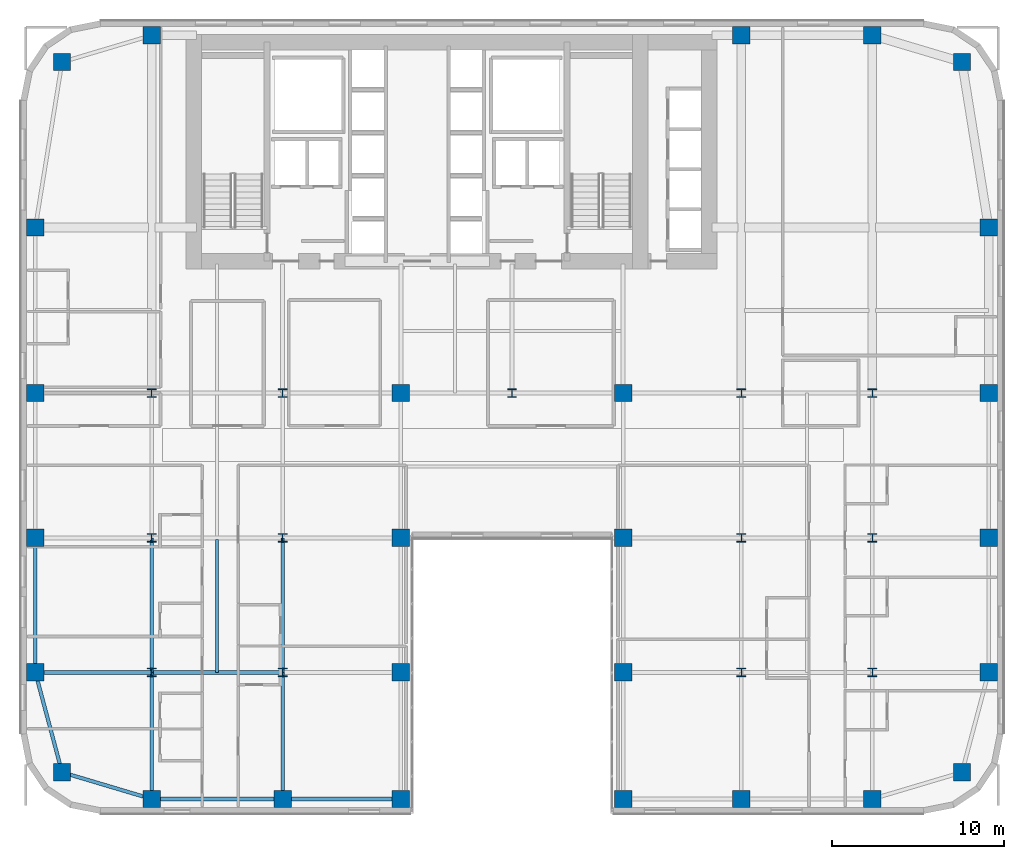
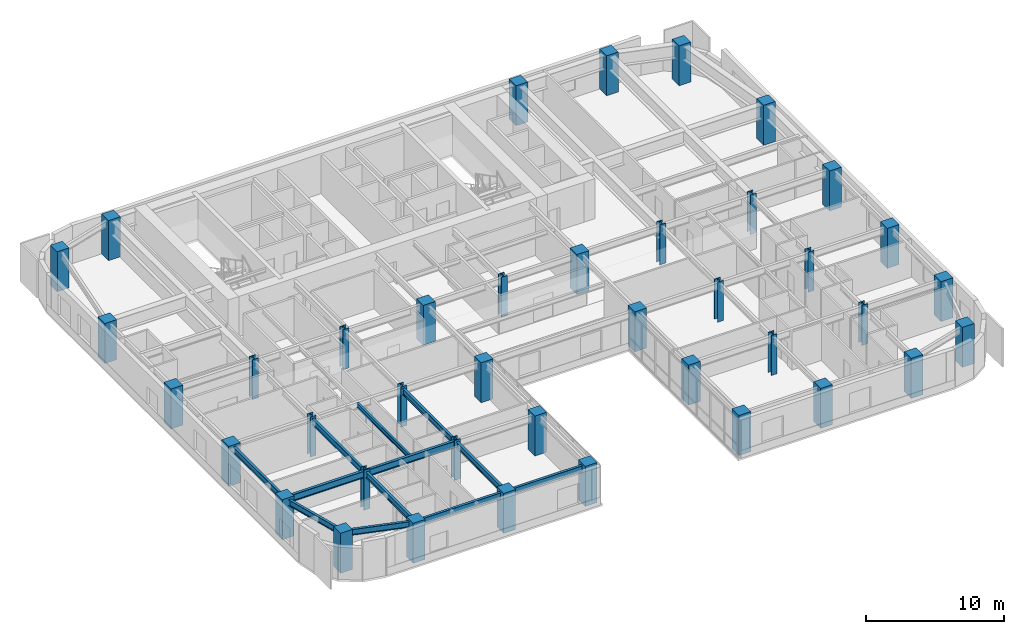
# One storey, part 1 of 25: 40 columns, 12 beams.
"""IFC4 building model written with IfcOpenShell, lengths in metres."""

from ifc_helpers import new_model, si_unit, direction, frame, origin, origin_2d, place, context, subcontext, project, spatial, rectangle, i_section, extrude, source, transform, mapped, material, material_profile, profile_set, type_object, type_shapes, element, save


model = new_model("IFC4")

# Units and contexts
model_context = context("Model", 3, precision=1e-05, world=origin(), true_north=direction((0.0, 1.0)))
body_context = subcontext(model_context, "Body", "Model", "MODEL_VIEW")
ifc_project = project(units=[si_unit("LENGTHUNIT", "METRE"), si_unit("AREAUNIT", "SQUARE_METRE"), si_unit("VOLUMEUNIT", "CUBIC_METRE"), si_unit("PLANEANGLEUNIT", "RADIAN"), si_unit("MASSUNIT", "GRAM", prefix="KILO")], contexts=[model_context])

# Site, building, storey
site_placement = place(None, origin())
site = spatial("IfcSite", under=ifc_project, at=site_placement, CompositionType="ELEMENT")
building_placement = place(site_placement, origin())
building = spatial("IfcBuilding", under=site, at=building_placement, Name="Tolvann Quenvar Hotel", CompositionType="ELEMENT")
storey_placement = place(building_placement, frame((0.0, 0.0, 60.39990234375)))
storey = spatial("IfcBuildingStorey", under=building, at=storey_placement, Name="L14", CompositionType="ELEMENT", Elevation=60.39990234375)

# Columns
ifc_material_1 = material(Name="Concrete S65 (65 MPa)", Category="concrete")
ifc_material_profile_1 = material_profile(ifc_material_1, rectangle(XDim=1.0, YDim=1.0, at=origin_2d()), Name="RC1000x1000")
ifc_profile_set_1 = profile_set([ifc_material_profile_1], Name="Concrete S65 (65 MPa)")
column_type_1 = type_object("IfcColumnType", Name="COL_RC1000", PredefinedType="COLUMN", material=ifc_profile_set_1)
shared_shape_1 = source(origin(), body_context, "Body", "SweptSolid", [
    extrude(rectangle(XDim=1.0, YDim=1.0, at=origin_2d()), origin(), (0.0, 0.0, 1.0), 3.550048828125),
])
type_shapes(column_type_1, [shared_shape_1])
for number, where, z_axis, x_axis, name in (
    (1, (2.39990234375, 2.39990234375, 0.0), (0.0, 0.0, 1.0), (1.0, 0.0, 0.0), "Column B2 (L14)"),
    (2, (0.85009765625, 8.199951171875, 0.0), (0.0, 0.0, 1.0), (1.0, 0.0, 0.0), "Column B3 (L14)"),
    (3, (0.85009765625, 16.0, 0.0), (0.0, 0.0, 1.0), (1.0, 0.0, 0.0), "Column B4 (L14)"),
    (4, (0.85009765625, 24.39990234375, 0.0), (0.0, 0.0, 1.0), (1.0, 0.0, 0.0), "Column B5 (L14)"),
    (5, (7.60009765625, 0.85009765625, 0.0), (0.0, 0.0, 1.0), (1.0, 0.0, 0.0), "Column C2 (L14)"),
    (6, (15.199951171875, 0.85009765625, 0.0), (0.0, 0.0, 1.0), (1.0, 0.0, 0.0), "Column D2 (L14)"),
    (7, (22.050048828125, 0.85009765625, 0.0), (0.0, 0.0, 1.0), (1.0, 0.0, 0.0), "Column E2 (L14)"),
    (8, (22.050048828125, 8.199951171875, 0.0), (0.0, 0.0, 1.0), (1.0, 0.0, 0.0), "Column E3 (L14)"),
    (9, (22.050048828125, 16.0, 0.0), (0.0, 0.0, 1.0), (1.0, 0.0, 0.0), "Column E4 (L14)"),
    (10, (22.050048828125, 24.39990234375, 0.0), (0.0, 0.0, 1.0), (1.0, 0.0, 0.0), "Column E5 (L14)"),
    (11, (34.949951171875, 0.85009765625, 0.0), (0.0, 0.0, 1.0), (1.0, 0.0, 0.0), "Column F2 (L14)"),
    (12, (34.949951171875, 8.199951171875, 0.0), (0.0, 0.0, 1.0), (1.0, 0.0, 0.0), "Column F3 (L14)"),
    (13, (34.949951171875, 16.0, 0.0), (0.0, 0.0, 1.0), (1.0, 0.0, 0.0), "Column F4 (L14)"),
    (14, (34.949951171875, 24.39990234375, 0.0), (0.0, 0.0, 1.0), (1.0, 0.0, 0.0), "Column F5 (L14)"),
    (15, (41.800048828125, 0.85009765625, 0.0), (0.0, 0.0, 1.0), (1.0, 0.0, 0.0), "Column H2 (L14)"),
    (16, (49.39990234375, 0.85009765625, 0.0), (0.0, 0.0, 1.0), (1.0, 0.0, 0.0), "Column I2 (L14)"),
    (17, (54.60009765625, 2.39990234375, 0.0), (0.0, 0.0, 1.0), (1.0, 0.0, 0.0), "Column J2 (L14)"),
    (18, (56.14990234375, 8.199951171875, 0.0), (0.0, 0.0, 1.0), (1.0, 0.0, 0.0), "Column J3 (L14)"),
    (19, (56.14990234375, 16.0, 0.0), (0.0, 0.0, 1.0), (1.0, 0.0, 0.0), "Column J4 (L14)"),
    (20, (56.14990234375, 24.39990234375, 0.0), (0.0, 0.0, 1.0), (1.0, 0.0, 0.0), "Column J5 (L14)"),
    (21, (2.39990234375, 43.60009765625, 0.0), (0.0, 0.0, 1.0), (1.0, 0.0, 0.0), "Column BN (L14)"),
    (22, (7.60009765625, 45.14990234375, 0.0), (0.0, 0.0, 1.0), (1.0, 0.0, 0.0), "Column CN (L14)"),
    (23, (0.85009765625, 34.0, 0.0), (0.0, 0.0, 1.0), (1.0, 0.0, 0.0), "Column BD6 (L14)"),
    (24, (41.800048828125, 45.14990234375, 0.0), (0.0, 0.0, 1.0), (1.0, 0.0, 0.0), "Column HN (L14)"),
    (25, (49.39990234375, 45.14990234375, 0.0), (0.0, 0.0, 1.0), (1.0, 0.0, 0.0), "Column IN (L14)"),
    (26, (54.60009765625, 43.60009765625, 0.0), (0.0, 0.0, 1.0), (1.0, 0.0, 0.0), "Column JN (L14)"),
    (27, (56.14990234375, 34.0, 0.0), (0.0, 0.0, 1.0), (1.0, 0.0, 0.0), "Column JD6 (L14)"),
):
    element("IfcColumn", number, at=place(storey_placement, frame(where, z_axis=z_axis, x_axis=x_axis)), inside=storey, type_object=column_type_1, Name=name, PredefinedType="COLUMN", context=body_context, shape_type="MappedRepresentation", body=[
        mapped(shared_shape_1, transform((0.0, 0.0, 0.0), x_axis=(1.0, 0.0, 0.0), y_axis=(0.0, 1.0, 0.0), z_axis=(0.0, 0.0, 1.0), scale=1.0)),
    ])
ifc_material_2 = material(Name="Steel Grade 350", Category="steel")
ifc_material_profile_2 = material_profile(ifc_material_2, i_section(OverallWidth=0.5, OverallDepth=0.5, WebThickness=0.028076171875, FlangeThickness=0.044921875, at=origin_2d()), Name="500WC440")
ifc_profile_set_2 = profile_set([ifc_material_profile_2], Name="Steel Grade 350")
column_type_2 = type_object("IfcColumnType", Name="COL_500WC440", PredefinedType="COLUMN", material=ifc_profile_set_2)
shared_shape_2 = source(origin(), body_context, "Body", "SweptSolid", [
    extrude(i_section(OverallWidth=0.5, OverallDepth=0.5, WebThickness=0.028076171875, FlangeThickness=0.044921875, at=origin_2d()), origin(), (0.0, 0.0, 1.0), 3.550048828125),
])
type_shapes(column_type_2, [shared_shape_2])
for number, where, z_axis, x_axis, name in (
    (28, (7.60009765625, 8.199951171875, 0.0), (0.0, 0.0, 1.0), (1.0, 0.0, 0.0), "Column C3 (L14)"),
    (29, (7.60009765625, 16.0, 0.0), (0.0, 0.0, 1.0), (1.0, 0.0, 0.0), "Column C4 (L14)"),
    (30, (7.60009765625, 24.39990234375, 0.0), (0.0, 0.0, 1.0), (1.0, 0.0, 0.0), "Column C5 (L14)"),
    (31, (15.199951171875, 8.199951171875, 0.0), (0.0, 0.0, 1.0), (1.0, 0.0, 0.0), "Column D3 (L14)"),
    (32, (15.199951171875, 16.0, 0.0), (0.0, 0.0, 1.0), (1.0, 0.0, 0.0), "Column D4 (L14)"),
    (33, (15.199951171875, 24.39990234375, 0.0), (0.0, 0.0, 1.0), (1.0, 0.0, 0.0), "Column D5 (L14)"),
    (34, (41.800048828125, 8.199951171875, 0.0), (0.0, 0.0, 1.0), (1.0, 0.0, 0.0), "Column H3 (L14)"),
    (35, (41.800048828125, 16.0, 0.0), (0.0, 0.0, 1.0), (1.0, 0.0, 0.0), "Column H4 (L14)"),
    (36, (41.800048828125, 24.39990234375, 0.0), (0.0, 0.0, 1.0), (1.0, 0.0, 0.0), "Column H5 (L14)"),
    (37, (49.39990234375, 8.199951171875, 0.0), (0.0, 0.0, 1.0), (1.0, 0.0, 0.0), "Column I3 (L14)"),
    (38, (49.39990234375, 16.0, 0.0), (0.0, 0.0, 1.0), (1.0, 0.0, 0.0), "Column I4 (L14)"),
    (39, (49.39990234375, 24.39990234375, 0.0), (0.0, 0.0, 1.0), (1.0, 0.0, 0.0), "Column I5 (L14)"),
    (40, (28.5, 24.39990234375, 0.0), (0.0, 0.0, 1.0), (1.0, 0.0, 0.0), "Column M5 (L14)"),
):
    element("IfcColumn", number, at=place(storey_placement, frame(where, z_axis=z_axis, x_axis=x_axis)), inside=storey, type_object=column_type_2, Name=name, PredefinedType="COLUMN", context=body_context, shape_type="MappedRepresentation", body=[
        mapped(shared_shape_2, transform((0.0, 0.0, 0.0), x_axis=(1.0, 0.0, 0.0), y_axis=(0.0, 1.0, 0.0), z_axis=(0.0, 0.0, 1.0), scale=1.0)),
    ])

# Beams
ifc_material_profile_3 = material_profile(ifc_material_2, i_section(OverallWidth=0.208984375, OverallDepth=0.528076171875, WebThickness=0.009521484375, FlangeThickness=0.01318359375, FilletRadius=0.013916015625, at=origin_2d()), Name="530UB82")
ifc_profile_set_3 = profile_set([ifc_material_profile_3], Name="Steel Grade 350")
beam_type_1 = type_object("IfcBeamType", Name="BM_SPAND_530UB82", PredefinedType="SPANDREL", material=ifc_profile_set_3)
shared_shape_3 = source(origin(), body_context, "Body", "SweptSolid", [
    extrude(i_section(OverallWidth=0.208984375, OverallDepth=0.528076171875, WebThickness=0.009521484375, FlangeThickness=0.01318359375, FilletRadius=0.013916015625, at=origin_2d()), origin(), (0.0, 0.0, 1.0), 5.42626953125),
])
beam_1_placement = place(storey_placement, frame((2.39990234375, 2.39990234375, 3.106201171875), z_axis=(0.958344815522, -0.285613750654, 0.0), x_axis=(0.285613750654, 0.958344815522, 0.0)))
element("IfcBeam", 41, at=beam_1_placement, inside=storey, type_object=beam_type_1, Name="BM-L14-EW-2-B2-C2", PredefinedType="SPANDREL", context=body_context, shape_type="MappedRepresentation", body=[
    mapped(shared_shape_3, transform((0.0, 0.0, 0.0), x_axis=(1.0, 0.0, 0.0), y_axis=(0.0, 1.0, 0.0), z_axis=(0.0, 0.0, 1.0), scale=1.0)),
])
shared_shape_4 = source(origin(), body_context, "Body", "SweptSolid", [
    extrude(i_section(OverallWidth=0.208984375, OverallDepth=0.528076171875, WebThickness=0.009521484375, FlangeThickness=0.01318359375, FilletRadius=0.013916015625, at=origin_2d()), origin(), (0.0, 0.0, 1.0), 7.599853515625),
])
beam_2_placement = place(storey_placement, frame((7.60009765625, 0.85009765625, 3.106201171875), z_axis=(1.0, 0.0, 0.0), x_axis=(0.0, 1.0, 0.0)))
element("IfcBeam", 42, at=beam_2_placement, inside=storey, type_object=beam_type_1, Name="BM-L14-EW-2-C2-D2", PredefinedType="SPANDREL", context=body_context, shape_type="MappedRepresentation", body=[
    mapped(shared_shape_4, transform((0.0, 0.0, 0.0), x_axis=(1.0, 0.0, 0.0), y_axis=(0.0, 1.0, 0.0), z_axis=(0.0, 0.0, 1.0), scale=1.0)),
])
shared_shape_5 = source(origin(), body_context, "Body", "SweptSolid", [
    extrude(i_section(OverallWidth=0.208984375, OverallDepth=0.528076171875, WebThickness=0.009521484375, FlangeThickness=0.01318359375, FilletRadius=0.013916015625, at=origin_2d()), origin(), (0.0, 0.0, 1.0), 6.85009765625),
])
beam_3_placement = place(storey_placement, frame((15.199951171875, 0.85009765625, 3.106201171875), z_axis=(1.0, 0.0, 0.0), x_axis=(0.0, 1.0, 0.0)))
element("IfcBeam", 43, at=beam_3_placement, inside=storey, type_object=beam_type_1, Name="BM-L14-EW-2-D2-E2", PredefinedType="SPANDREL", context=body_context, shape_type="MappedRepresentation", body=[
    mapped(shared_shape_5, transform((0.0, 0.0, 0.0), x_axis=(1.0, 0.0, 0.0), y_axis=(0.0, 1.0, 0.0), z_axis=(0.0, 0.0, 1.0), scale=1.0)),
])
ifc_material_profile_4 = material_profile(ifc_material_2, i_section(OverallWidth=0.22900390625, OverallDepth=0.612060546875, WebThickness=0.011962890625, FlangeThickness=0.01953125, FilletRadius=0.013916015625, at=origin_2d()), Name="610UB125")
ifc_profile_set_4 = profile_set([ifc_material_profile_4], Name="Steel Grade 350")
beam_type_2 = type_object("IfcBeamType", Name="BM_GIRD_610UB125", PredefinedType="BEAM", material=ifc_profile_set_4)
shared_shape_6 = source(origin(), body_context, "Body", "SweptSolid", [
    extrude(i_section(OverallWidth=0.22900390625, OverallDepth=0.612060546875, WebThickness=0.011962890625, FlangeThickness=0.01953125, FilletRadius=0.013916015625, at=origin_2d()), origin(), (0.0, 0.0, 1.0), 6.75),
])
beam_4_placement = place(storey_placement, frame((0.85009765625, 8.199951171875, 3.064208984375), z_axis=(1.0, 0.0, 0.0), x_axis=(0.0, 1.0, 0.0)))
element("IfcBeam", 44, at=beam_4_placement, inside=storey, type_object=beam_type_2, Name="BM-L14-EW-3-B3-C3", PredefinedType="BEAM", context=body_context, shape_type="MappedRepresentation", body=[
    mapped(shared_shape_6, transform((0.0, 0.0, 0.0), x_axis=(1.0, 0.0, 0.0), y_axis=(0.0, 1.0, 0.0), z_axis=(0.0, 0.0, 1.0), scale=1.0)),
])
shared_shape_7 = source(origin(), body_context, "Body", "SweptSolid", [
    extrude(i_section(OverallWidth=0.22900390625, OverallDepth=0.612060546875, WebThickness=0.011962890625, FlangeThickness=0.01953125, FilletRadius=0.013916015625, at=origin_2d()), origin(), (0.0, 0.0, 1.0), 7.599853515625),
])
type_shapes(beam_type_2, [shared_shape_6, shared_shape_7])
beam_5_placement = place(storey_placement, frame((7.60009765625, 8.199951171875, 3.064208984375), z_axis=(1.0, 0.0, 0.0), x_axis=(0.0, 1.0, 0.0)))
element("IfcBeam", 45, at=beam_5_placement, inside=storey, type_object=beam_type_2, Name="BM-L14-EW-3-C3-D3", PredefinedType="BEAM", context=body_context, shape_type="MappedRepresentation", body=[
    mapped(shared_shape_7, transform((0.0, 0.0, 0.0), x_axis=(1.0, 0.0, 0.0), y_axis=(0.0, 1.0, 0.0), z_axis=(0.0, 0.0, 1.0), scale=1.0)),
])
shared_shape_8 = source(origin(), body_context, "Body", "SweptSolid", [
    extrude(i_section(OverallWidth=0.208984375, OverallDepth=0.528076171875, WebThickness=0.009521484375, FlangeThickness=0.01318359375, FilletRadius=0.013916015625, at=origin_2d()), origin(), (0.0, 0.0, 1.0), 6.00341796875),
])
beam_6_placement = place(storey_placement, frame((2.39990234375, 2.39990234375, 3.106201171875), z_axis=(-0.258148586649, 0.966105225745, 0.0), x_axis=(-0.966105225745, -0.258148586649, 0.0)))
element("IfcBeam", 46, at=beam_6_placement, inside=storey, type_object=beam_type_1, Name="BM-L14-NS-B2-B3", PredefinedType="SPANDREL", context=body_context, shape_type="MappedRepresentation", body=[
    mapped(shared_shape_8, transform((0.0, 0.0, 0.0), x_axis=(1.0, 0.0, 0.0), y_axis=(0.0, 1.0, 0.0), z_axis=(0.0, 0.0, 1.0), scale=1.0)),
])
shared_shape_9 = source(origin(), body_context, "Body", "SweptSolid", [
    extrude(i_section(OverallWidth=0.208984375, OverallDepth=0.528076171875, WebThickness=0.009521484375, FlangeThickness=0.01318359375, FilletRadius=0.013916015625, at=origin_2d()), origin(), (0.0, 0.0, 1.0), 7.800048828125),
])
type_shapes(beam_type_1, [shared_shape_3, shared_shape_4, shared_shape_5, shared_shape_8, shared_shape_9])
beam_7_placement = place(storey_placement, frame((0.85009765625, 8.199951171875, 3.106201171875), z_axis=(0.0, 1.0, 0.0), x_axis=(-1.0, 0.0, 0.0)))
element("IfcBeam", 47, at=beam_7_placement, inside=storey, type_object=beam_type_1, Name="BM-L14-NS-B3-B4", PredefinedType="SPANDREL", context=body_context, shape_type="MappedRepresentation", body=[
    mapped(shared_shape_9, transform((0.0, 0.0, 0.0), x_axis=(1.0, 0.0, 0.0), y_axis=(0.0, 1.0, 0.0), z_axis=(0.0, 0.0, 1.0), scale=1.0)),
])
ifc_material_profile_5 = material_profile(ifc_material_2, i_section(OverallWidth=0.208984375, OverallDepth=0.532958984375, WebThickness=0.01025390625, FlangeThickness=0.015625, FilletRadius=0.013916015625, at=origin_2d()), Name="530UB92")
ifc_profile_set_5 = profile_set([ifc_material_profile_5], Name="Steel Grade 350")
beam_type_3 = type_object("IfcBeamType", Name="BM_GIRD_530UB92", PredefinedType="BEAM", material=ifc_profile_set_5)
shared_shape_10 = source(origin(), body_context, "Body", "SweptSolid", [
    extrude(i_section(OverallWidth=0.208984375, OverallDepth=0.532958984375, WebThickness=0.01025390625, FlangeThickness=0.015625, FilletRadius=0.013916015625, at=origin_2d()), origin(), (0.0, 0.0, 1.0), 7.349853515625),
])
for number, where, z_axis, x_axis, name in (
    (48, (7.60009765625, 0.85009765625, 3.103515625), (0.0, 1.0, 0.0), (-1.0, 0.0, 0.0), "BM-L14-NS-C2-C3"),
    (49, (15.199951171875, 0.85009765625, 3.103515625), (0.0, 1.0, 0.0), (-1.0, 0.0, 0.0), "BM-L14-NS-D2-D3"),
):
    element("IfcBeam", number, at=place(storey_placement, frame(where, z_axis=z_axis, x_axis=x_axis)), inside=storey, type_object=beam_type_3, Name=name, PredefinedType="BEAM", context=body_context, shape_type="MappedRepresentation", body=[
        mapped(shared_shape_10, transform((0.0, 0.0, 0.0), x_axis=(1.0, 0.0, 0.0), y_axis=(0.0, 1.0, 0.0), z_axis=(0.0, 0.0, 1.0), scale=1.0)),
    ])
shared_shape_11 = source(origin(), body_context, "Body", "SweptSolid", [
    extrude(i_section(OverallWidth=0.208984375, OverallDepth=0.532958984375, WebThickness=0.01025390625, FlangeThickness=0.015625, FilletRadius=0.013916015625, at=origin_2d()), origin(), (0.0, 0.0, 1.0), 7.800048828125),
])
type_shapes(beam_type_3, [shared_shape_10, shared_shape_11])
for number, where, z_axis, x_axis, name in (
    (50, (7.60009765625, 8.199951171875, 3.103515625), (0.0, 1.0, 0.0), (-1.0, 0.0, 0.0), "BM-L14-NS-C3-C4"),
    (51, (15.199951171875, 8.199951171875, 3.103515625), (0.0, 1.0, 0.0), (-1.0, 0.0, 0.0), "BM-L14-NS-D3-D4"),
):
    element("IfcBeam", number, at=place(storey_placement, frame(where, z_axis=z_axis, x_axis=x_axis)), inside=storey, type_object=beam_type_3, Name=name, PredefinedType="BEAM", context=body_context, shape_type="MappedRepresentation", body=[
        mapped(shared_shape_11, transform((0.0, 0.0, 0.0), x_axis=(1.0, 0.0, 0.0), y_axis=(0.0, 1.0, 0.0), z_axis=(0.0, 0.0, 1.0), scale=1.0)),
    ])
ifc_material_profile_6 = material_profile(ifc_material_2, i_section(OverallWidth=0.177978515625, OverallDepth=0.406005859375, WebThickness=0.0078125, FlangeThickness=0.0126953125, FilletRadius=0.011474609375, at=origin_2d()), Name="410UB60")
ifc_profile_set_6 = profile_set([ifc_material_profile_6], Name="Steel Grade 350")
beam_type_4 = type_object("IfcBeamType", Name="BM_JOIST_410UB60", PredefinedType="JOIST", material=ifc_profile_set_6)
shared_shape_12 = source(origin(), body_context, "Body", "SweptSolid", [
    extrude(i_section(OverallWidth=0.177978515625, OverallDepth=0.406005859375, WebThickness=0.0078125, FlangeThickness=0.0126953125, FilletRadius=0.011474609375, at=origin_2d()), origin(), (0.0, 0.0, 1.0), 7.691650390625),
])
type_shapes(beam_type_4, [shared_shape_12])
beam_8_placement = place(storey_placement, frame((11.39990234375, 8.199951171875, 3.1669921875), z_axis=(0.0, 1.0, 0.0), x_axis=(-1.0, 0.0, 0.0)))
element("IfcBeam", 52, at=beam_8_placement, inside=storey, type_object=beam_type_4, Name="BJ-L14-114-82", PredefinedType="JOIST", context=body_context, shape_type="MappedRepresentation", body=[
    mapped(shared_shape_12, transform((0.0, 0.0, 0.0), x_axis=(1.0, 0.0, 0.0), y_axis=(0.0, 1.0, 0.0), z_axis=(0.0, 0.0, 1.0), scale=1.0)),
])

save(model, "model.ifc")
